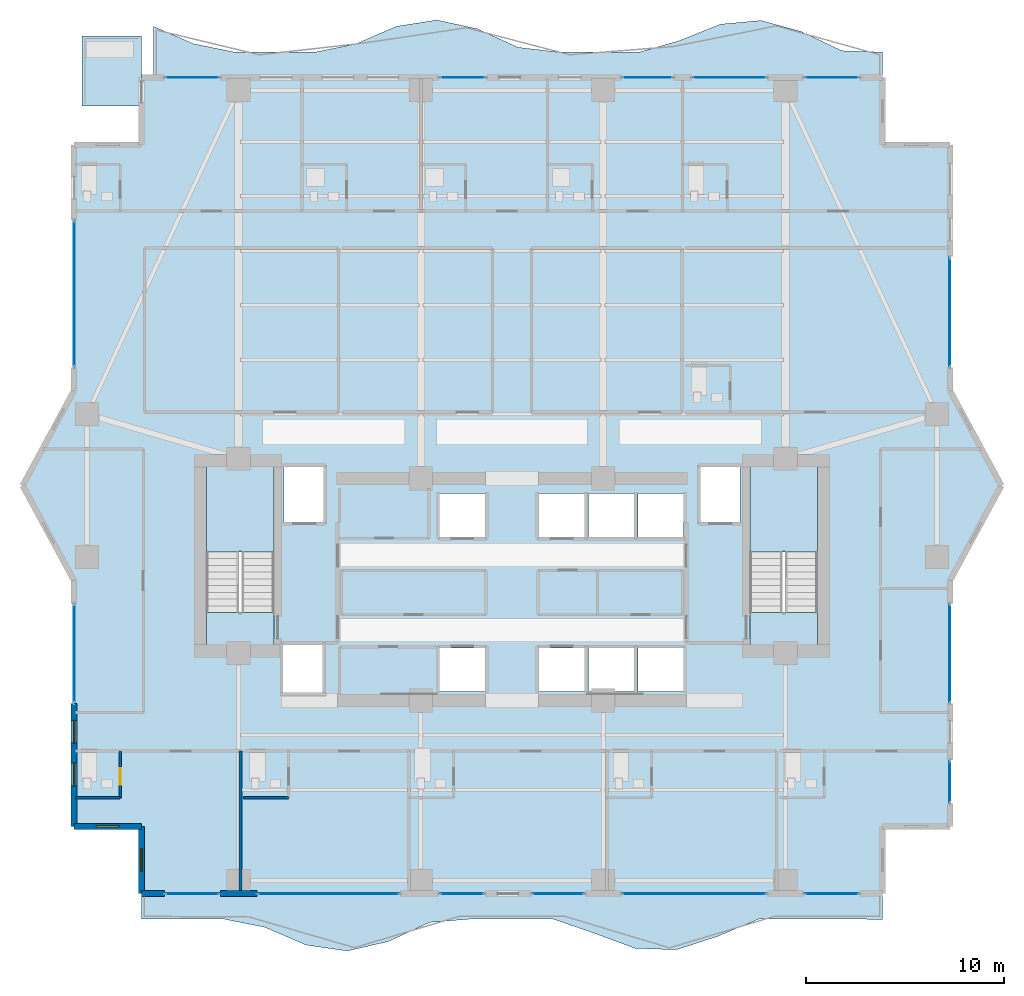
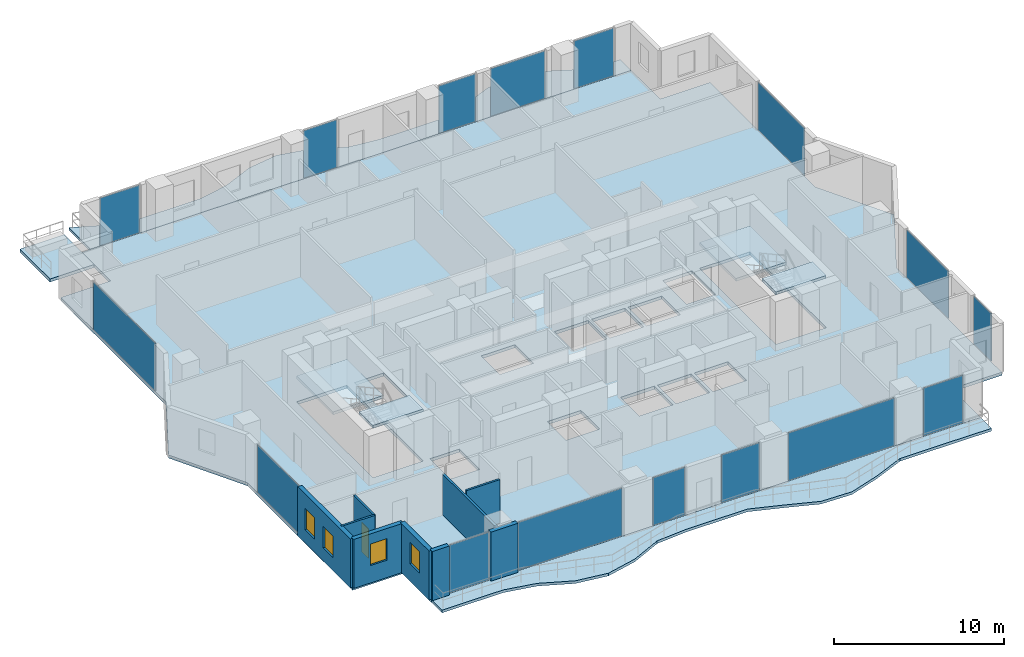
# One storey, part 23 of 32: 16 plates, 9 walls, 8 slabs, 4 windows, 1 door, 5 openings, 18 elements without a shape of their own.
"""IFC4 building model written with IfcOpenShell, lengths in metres."""

from ifc_helpers import new_model, si_unit, direction, frame, frame_2d, origin, origin_2d, place, context, subcontext, project, spatial, polyline, rectangle, outline, extrude, material, layer, layer_set, type_object, element, fill, aggregate, save


model = new_model("IFC4")

# Units and contexts
model_context = context("Model", 3, precision=1e-05, world=origin(), true_north=direction((0.0, 1.0)))
body_context = subcontext(model_context, "Body", "Model", "MODEL_VIEW")
ifc_project = project(units=[si_unit("LENGTHUNIT", "METRE"), si_unit("AREAUNIT", "SQUARE_METRE"), si_unit("VOLUMEUNIT", "CUBIC_METRE"), si_unit("PLANEANGLEUNIT", "RADIAN"), si_unit("MASSUNIT", "GRAM", prefix="KILO")], contexts=[model_context])

# Site, building, storey
site_placement = place(None, origin())
site = spatial("IfcSite", under=ifc_project, at=site_placement, CompositionType="ELEMENT")
building_placement = place(site_placement, origin())
building = spatial("IfcBuilding", under=site, at=building_placement, Name="Zuhayl Quay Hotel", CompositionType="ELEMENT")
storey_placement = place(building_placement, frame((0.0, 0.0, 184.89990234375)))
storey = spatial("IfcBuildingStorey", under=building, at=storey_placement, Name="L46", CompositionType="ELEMENT", Elevation=184.89990234375)

# Curtain wall, plate
ifc_material_1 = material(Name="Anodised Aluminium 6063-T6", Category="aluminium")
ifc_layer_1 = layer(ifc_material_1, 0.175048828125, Name="Anodised Aluminium 6063-T6", Category="aluminium")
ifc_layer_set_1 = layer_set([ifc_layer_1], Name="Anodised Aluminium 6063-T6")
curtain_wall_type = type_object("IfcCurtainWallType", Name="CW_SYS_Z3", PredefinedType="USERDEFINED", material=ifc_layer_set_1)
curtain_wall_1_placement = place(storey_placement, origin())
curtain_wall_1 = element("IfcCurtainWall", 1, at=curtain_wall_1_placement, inside=storey, type_object=curtain_wall_type, Name="L46 Curtain Wall ENV_L46_E02_CW1", ObjectType="UNITISED CURTAIN WALL", PredefinedType="USERDEFINED")
ifc_material_2 = material(Name="Dark Ceramic-Fritted Solar Glass", Category="glass")
ifc_layer_2 = layer(ifc_material_2, 0.0400390625, Name="Dark Ceramic-Fritted Solar Glass", Category="glass")
ifc_layer_set_2 = layer_set([ifc_layer_2], Name="Dark Ceramic-Fritted Solar Glass")
plate_type = type_object("IfcPlateType", Name="PN_OP_VENT_Z3", PredefinedType="CURTAIN_PANEL", material=ifc_layer_set_2)
plate_1_placement = place(storey_placement, frame((-22.10009765625, 4.52490234375, 0.05517578125), z_axis=(0.0, 0.0, 1.0), x_axis=(0.0, 1.0, 0.0)))
plate_1 = element("IfcPlate", 2, at=plate_1_placement, type_object=plate_type, Name="CW-Z3 panel 1.1", PredefinedType="CURTAIN_PANEL", context=body_context, shape_type="SweptSolid", body=[
    extrude(rectangle(XDim=4.919921875, YDim=0.0400390625, at=origin_2d()), origin(), (0.0, 0.0, 1.0), 3.419921875),
])
aggregate(curtain_wall_1, [plate_1])

curtain_wall_2_placement = place(storey_placement, origin())
curtain_wall_2 = element("IfcCurtainWall", 3, at=curtain_wall_2_placement, inside=storey, type_object=curtain_wall_type, Name="L46 Curtain Wall ENV_L46_E05_CW1", ObjectType="UNITISED CURTAIN WALL", PredefinedType="USERDEFINED")
plate_2_placement = place(storey_placement, frame((-22.10009765625, 22.675048828125, 0.05517578125), z_axis=(0.0, 0.0, 1.0), x_axis=(0.0, 1.0, 0.0)))
plate_2 = element("IfcPlate", 4, at=plate_2_placement, type_object=plate_type, Name="CW-Z3 panel 1.1", PredefinedType="CURTAIN_PANEL", context=body_context, shape_type="SweptSolid", body=[
    extrude(rectangle(XDim=7.320068359375, YDim=0.0400390625, at=origin_2d()), origin(), (0.0, 0.0, 1.0), 3.419921875),
])
aggregate(curtain_wall_2, [plate_2])

curtain_wall_3_placement = place(storey_placement, origin())
curtain_wall_3 = element("IfcCurtainWall", 5, at=curtain_wall_3_placement, inside=storey, type_object=curtain_wall_type, Name="L46 Curtain Wall ENV_L46_N_CW1", ObjectType="UNITISED CURTAIN WALL", PredefinedType="USERDEFINED")
plate_3_placement = place(storey_placement, frame((-16.135009765625, 33.60009765625, 0.05517578125), z_axis=(0.0, 0.0, 1.0), x_axis=(1.0, 0.0, 0.0)))
plate_3 = element("IfcPlate", 6, at=plate_3_placement, type_object=plate_type, Name="CW-Z3 panel 1.1", PredefinedType="CURTAIN_PANEL", context=body_context, shape_type="SweptSolid", body=[
    extrude(rectangle(XDim=2.699951171875, YDim=0.0400390625, at=origin_2d()), origin(), (0.0, 0.0, 1.0), 3.419921875),
])
aggregate(curtain_wall_3, [plate_3])

curtain_wall_4_placement = place(storey_placement, origin())
curtain_wall_4 = element("IfcCurtainWall", 7, at=curtain_wall_4_placement, inside=storey, type_object=curtain_wall_type, Name="L46 Curtain Wall ENV_L46_N_CW2", ObjectType="UNITISED CURTAIN WALL", PredefinedType="USERDEFINED")
plate_4_placement = place(storey_placement, frame((-2.487548828125, 33.60009765625, 0.05517578125), z_axis=(0.0, 0.0, 1.0), x_axis=(1.0, 0.0, 0.0)))
plate_4 = element("IfcPlate", 8, at=plate_4_placement, type_object=plate_type, Name="CW-Z3 panel 1.1", PredefinedType="CURTAIN_PANEL", context=body_context, shape_type="SweptSolid", body=[
    extrude(rectangle(XDim=2.2548828125, YDim=0.0400390625, at=origin_2d()), origin(), (0.0, 0.0, 1.0), 3.419921875),
])
aggregate(curtain_wall_4, [plate_4])

curtain_wall_5_placement = place(storey_placement, origin())
curtain_wall_5 = element("IfcCurtainWall", 9, at=curtain_wall_5_placement, inside=storey, type_object=curtain_wall_type, Name="L46 Curtain Wall ENV_L46_N_CW3", ObjectType="UNITISED CURTAIN WALL", PredefinedType="USERDEFINED")
plate_5_placement = place(storey_placement, frame((6.8349609375, 33.60009765625, 0.05517578125), z_axis=(0.0, 0.0, 1.0), x_axis=(1.0, 0.0, 0.0)))
plate_5 = element("IfcPlate", 10, at=plate_5_placement, type_object=plate_type, Name="CW-Z3 panel 1.1", PredefinedType="CURTAIN_PANEL", context=body_context, shape_type="SweptSolid", body=[
    extrude(rectangle(XDim=2.5, YDim=0.0400390625, at=origin_2d()), origin(), (0.0, 0.0, 1.0), 3.419921875),
])
aggregate(curtain_wall_5, [plate_5])

curtain_wall_6_placement = place(storey_placement, origin())
curtain_wall_6 = element("IfcCurtainWall", 11, at=curtain_wall_6_placement, inside=storey, type_object=curtain_wall_type, Name="L46 Curtain Wall ENV_L46_N_CW4", ObjectType="UNITISED CURTAIN WALL", PredefinedType="USERDEFINED")
plate_6_placement = place(storey_placement, frame((10.965087890625, 33.60009765625, 0.05517578125), z_axis=(0.0, 0.0, 1.0), x_axis=(1.0, 0.0, 0.0)))
plate_6 = element("IfcPlate", 12, at=plate_6_placement, type_object=plate_type, Name="CW-Z3 panel 1.1", PredefinedType="CURTAIN_PANEL", context=body_context, shape_type="SweptSolid", body=[
    extrude(rectangle(XDim=3.699951171875, YDim=0.0400390625, at=origin_2d()), origin(), (0.0, 0.0, 1.0), 3.419921875),
])
aggregate(curtain_wall_6, [plate_6])

curtain_wall_7_placement = place(storey_placement, origin())
curtain_wall_7 = element("IfcCurtainWall", 13, at=curtain_wall_7_placement, inside=storey, type_object=curtain_wall_type, Name="L46 Curtain Wall ENV_L46_N_CW5", ObjectType="UNITISED CURTAIN WALL", PredefinedType="USERDEFINED")
plate_7_placement = place(storey_placement, frame((16.135009765625, 33.60009765625, 0.05517578125), z_axis=(0.0, 0.0, 1.0), x_axis=(1.0, 0.0, 0.0)))
plate_7 = element("IfcPlate", 14, at=plate_7_placement, type_object=plate_type, Name="CW-Z3 panel 1.1", PredefinedType="CURTAIN_PANEL", context=body_context, shape_type="SweptSolid", body=[
    extrude(rectangle(XDim=2.699951171875, YDim=0.0400390625, at=origin_2d()), origin(), (0.0, 0.0, 1.0), 3.419921875),
])
aggregate(curtain_wall_7, [plate_7])

curtain_wall_8_placement = place(storey_placement, origin())
curtain_wall_8 = element("IfcCurtainWall", 15, at=curtain_wall_8_placement, inside=storey, type_object=curtain_wall_type, Name="L46 Curtain Wall ENV_L46_E11_CW1", ObjectType="UNITISED CURTAIN WALL", PredefinedType="USERDEFINED")
plate_8_placement = place(storey_placement, frame((22.10009765625, 21.75, 0.05517578125), z_axis=(0.0, 0.0, 1.0), x_axis=(0.0, -1.0, 0.0)))
plate_8 = element("IfcPlate", 16, at=plate_8_placement, type_object=plate_type, Name="CW-Z3 panel 1.1", PredefinedType="CURTAIN_PANEL", context=body_context, shape_type="SweptSolid", body=[
    extrude(rectangle(XDim=5.469970703125, YDim=0.0400390625, at=origin_2d()), origin(), (0.0, 0.0, 1.0), 3.419921875),
])
aggregate(curtain_wall_8, [plate_8])

curtain_wall_9_placement = place(storey_placement, origin())
curtain_wall_9 = element("IfcCurtainWall", 17, at=curtain_wall_9_placement, inside=storey, type_object=curtain_wall_type, Name="L46 Curtain Wall ENV_L46_E14_CW1", ObjectType="UNITISED CURTAIN WALL", PredefinedType="USERDEFINED")
plate_9_placement = place(storey_placement, frame((22.10009765625, 4.52490234375, 0.05517578125), z_axis=(0.0, 0.0, 1.0), x_axis=(0.0, -1.0, 0.0)))
plate_9 = element("IfcPlate", 18, at=plate_9_placement, type_object=plate_type, Name="CW-Z3 panel 1.1", PredefinedType="CURTAIN_PANEL", context=body_context, shape_type="SweptSolid", body=[
    extrude(rectangle(XDim=4.919921875, YDim=0.0400390625, at=origin_2d()), origin(), (0.0, 0.0, 1.0), 3.419921875),
])
aggregate(curtain_wall_9, [plate_9])

curtain_wall_10_placement = place(storey_placement, origin())
curtain_wall_10 = element("IfcCurtainWall", 19, at=curtain_wall_10_placement, inside=storey, type_object=curtain_wall_type, Name="L46 Curtain Wall ENV_L46_E14_CW2", ObjectType="UNITISED CURTAIN WALL", PredefinedType="USERDEFINED")
plate_10_placement = place(storey_placement, frame((22.10009765625, -1.949951171875, 0.05517578125), z_axis=(0.0, 0.0, 1.0), x_axis=(0.0, -1.0, 0.0)))
plate_10 = element("IfcPlate", 20, at=plate_10_placement, type_object=plate_type, Name="CW-Z3 panel 1.1", PredefinedType="CURTAIN_PANEL", context=body_context, shape_type="SweptSolid", body=[
    extrude(rectangle(XDim=2.070068359375, YDim=0.0400390625, at=origin_2d()), origin(), (0.0, 0.0, 1.0), 3.419921875),
])
aggregate(curtain_wall_10, [plate_10])

curtain_wall_11_placement = place(storey_placement, origin())
curtain_wall_11 = element("IfcCurtainWall", 21, at=curtain_wall_11_placement, inside=storey, type_object=curtain_wall_type, Name="L46 Curtain Wall ENV_L46_S_CW1", ObjectType="UNITISED CURTAIN WALL", PredefinedType="USERDEFINED")
plate_11_placement = place(storey_placement, frame((16.135009765625, -7.60009765625, 0.05517578125), z_axis=(0.0, 0.0, 1.0), x_axis=(-1.0, 0.0, 0.0)))
plate_11 = element("IfcPlate", 22, at=plate_11_placement, type_object=plate_type, Name="CW-Z3 panel 1.1", PredefinedType="CURTAIN_PANEL", context=body_context, shape_type="SweptSolid", body=[
    extrude(rectangle(XDim=2.699951171875, YDim=0.0400390625, at=origin_2d()), origin(), (0.0, 0.0, 1.0), 3.419921875),
])
aggregate(curtain_wall_11, [plate_11])

curtain_wall_12_placement = place(storey_placement, origin())
curtain_wall_12 = element("IfcCurtainWall", 23, at=curtain_wall_12_placement, inside=storey, type_object=curtain_wall_type, Name="L46 Curtain Wall ENV_L46_S_CW2", ObjectType="UNITISED CURTAIN WALL", PredefinedType="USERDEFINED")
plate_12_placement = place(storey_placement, frame((9.199951171875, -7.60009765625, 0.05517578125), z_axis=(0.0, 0.0, 1.0), x_axis=(-1.0, 0.0, 0.0)))
plate_12 = element("IfcPlate", 24, at=plate_12_placement, type_object=plate_type, Name="CW-Z3 panel 1.1", PredefinedType="CURTAIN_PANEL", context=body_context, shape_type="SweptSolid", body=[
    extrude(rectangle(XDim=7.22998046875, YDim=0.0400390625, at=origin_2d()), origin(), (0.0, 0.0, 1.0), 3.419921875),
])
aggregate(curtain_wall_12, [plate_12])

curtain_wall_13_placement = place(storey_placement, origin())
curtain_wall_13 = element("IfcCurtainWall", 25, at=curtain_wall_13_placement, inside=storey, type_object=curtain_wall_type, Name="L46 Curtain Wall ENV_L46_S_CW3", ObjectType="UNITISED CURTAIN WALL", PredefinedType="USERDEFINED")
plate_13_placement = place(storey_placement, frame((2.327392578125, -7.60009765625, 0.05517578125), z_axis=(0.0, 0.0, 1.0), x_axis=(-1.0, 0.0, 0.0)))
plate_13 = element("IfcPlate", 26, at=plate_13_placement, type_object=plate_type, Name="CW-Z3 panel 1.1", PredefinedType="CURTAIN_PANEL", context=body_context, shape_type="SweptSolid", body=[
    extrude(rectangle(XDim=2.574951171875, YDim=0.0400390625, at=origin_2d()), origin(), (0.0, 0.0, 1.0), 3.419921875),
])
aggregate(curtain_wall_13, [plate_13])

curtain_wall_14_placement = place(storey_placement, origin())
curtain_wall_14 = element("IfcCurtainWall", 27, at=curtain_wall_14_placement, inside=storey, type_object=curtain_wall_type, Name="L46 Curtain Wall ENV_L46_S_CW4", ObjectType="UNITISED CURTAIN WALL", PredefinedType="USERDEFINED")
plate_14_placement = place(storey_placement, frame((-2.527587890625, -7.60009765625, 0.05517578125), z_axis=(0.0, 0.0, 1.0), x_axis=(-1.0, 0.0, 0.0)))
plate_14 = element("IfcPlate", 28, at=plate_14_placement, type_object=plate_type, Name="CW-Z3 panel 1.1", PredefinedType="CURTAIN_PANEL", context=body_context, shape_type="SweptSolid", body=[
    extrude(rectangle(XDim=2.175048828125, YDim=0.0400390625, at=origin_2d()), origin(), (0.0, 0.0, 1.0), 3.419921875),
])
aggregate(curtain_wall_14, [plate_14])

curtain_wall_15_placement = place(storey_placement, origin())
curtain_wall_15 = element("IfcCurtainWall", 29, at=curtain_wall_15_placement, inside=storey, type_object=curtain_wall_type, Name="L46 Curtain Wall ENV_L46_S_CW5", ObjectType="UNITISED CURTAIN WALL", PredefinedType="USERDEFINED")
plate_15_placement = place(storey_placement, frame((-9.264892578125, -7.60009765625, 0.05517578125), z_axis=(0.0, 0.0, 1.0), x_axis=(-1.0, 0.0, 0.0)))
plate_15 = element("IfcPlate", 30, at=plate_15_placement, type_object=plate_type, Name="CW-Z3 panel 1.1", PredefinedType="CURTAIN_PANEL", context=body_context, shape_type="SweptSolid", body=[
    extrude(rectangle(XDim=7.10009765625, YDim=0.0400390625, at=origin_2d()), origin(), (0.0, 0.0, 1.0), 3.419921875),
])
aggregate(curtain_wall_15, [plate_15])

curtain_wall_16_placement = place(storey_placement, origin())
curtain_wall_16 = element("IfcCurtainWall", 31, at=curtain_wall_16_placement, inside=storey, type_object=curtain_wall_type, Name="L46 Curtain Wall ENV_L46_S_CW6", ObjectType="UNITISED CURTAIN WALL", PredefinedType="USERDEFINED")
plate_16_placement = place(storey_placement, frame((-16.135009765625, -7.60009765625, 0.05517578125), z_axis=(0.0, 0.0, 1.0), x_axis=(-1.0, 0.0, 0.0)))
plate_16 = element("IfcPlate", 32, at=plate_16_placement, type_object=plate_type, Name="CW-Z3 panel 1.1", PredefinedType="CURTAIN_PANEL", context=body_context, shape_type="SweptSolid", body=[
    extrude(rectangle(XDim=2.699951171875, YDim=0.0400390625, at=origin_2d()), origin(), (0.0, 0.0, 1.0), 3.419921875),
])
aggregate(curtain_wall_16, [plate_16])

# Slabs
ifc_material_3 = material(Name="Concrete C45/55", Category="concrete")
ifc_layer_3 = layer(ifc_material_3, 0.195068359375, Name="Concrete C45/55", Category="concrete")
ifc_layer_set_3 = layer_set([ifc_layer_3], Name="Concrete C45/55")
slab_type_1 = type_object("IfcSlabType", Name="SL_BALCONY_195", PredefinedType="FLOOR", material=ifc_layer_set_3)
slab_1_placement = place(storey_placement, frame((0.0, 0.0, -0.19482421875)))
element("IfcSlab", 33, at=slab_1_placement, inside=storey, type_object=slab_type_1, Name="L46 Exterior Rippling Balcony Slab North", PredefinedType="FLOOR", context=body_context, shape_type="SweptSolid", body=[
    extrude(outline(polyline([(-18.10009765625, 33.60009765625), (18.699951171875, 33.60009765625), (18.699951171875, 34.8798828125), (16.655517578125, 34.947509765625), (14.611083984375, 35.912353515625), (12.566650390625, 36.47265625), (10.522216796875, 36.286376953125), (8.477783203125, 35.467041015625), (6.433349609375, 34.8798828125), (4.388916015625, 34.8798828125), (2.344482421875, 34.8798828125), (0.300048828125, 35.119384765625), (-1.744384765625, 36.053466796875), (-3.788818359375, 36.4970703125), (-5.833251953125, 36.178955078125), (-7.877685546875, 35.293701171875), (-9.922119140625, 34.8798828125), (-11.966796875, 34.8798828125), (-14.010986328125, 34.8798828125), (-16.0556640625, 35.293701171875), (-18.10009765625, 36.178955078125), (-18.10009765625, 33.60009765625)])), origin(), (0.0, 0.0, 1.0), 0.19482421875),
])
slab_2_placement = place(storey_placement, frame((0.0, 0.0, -0.19482421875)))
element("IfcSlab", 34, at=slab_2_placement, inside=storey, type_object=slab_type_1, Name="L46 Exterior Rippling Balcony Slab South", PredefinedType="FLOOR", context=body_context, shape_type="SweptSolid", body=[
    extrude(outline(polyline([(-18.699951171875, -8.8798828125), (-16.622314453125, -8.8798828125), (-14.54443359375, -8.8798828125), (-12.466796875, -9.299072265625), (-10.388916015625, -10.193359375), (-8.31103515625, -10.49365234375), (-6.2333984375, -10.010986328125), (-4.155517578125, -9.049072265625), (-2.077880859375, -8.8798828125), (0.0, -8.8798828125), (2.077880859375, -8.8798828125), (4.155517578125, -9.599853515625), (6.2333984375, -10.36376953125), (8.31103515625, -10.426513671875), (10.388916015625, -9.748291015625), (12.466796875, -8.8798828125), (14.54443359375, -8.8798828125), (16.622314453125, -8.8798828125), (18.699951171875, -8.89501953125), (18.699951171875, -7.60009765625), (-18.699951171875, -7.60009765625), (-18.699951171875, -8.8798828125)])), origin(), (0.0, 0.0, 1.0), 0.19482421875),
])
ifc_layer_4 = layer(ifc_material_3, 0.219970703125, Name="Concrete C45/55", Category="concrete")
ifc_layer_set_4 = layer_set([ifc_layer_4], Name="Concrete C45/55")
slab_type_2 = type_object("IfcSlabType", Name="SL_FLOOR_220", PredefinedType="FLOOR", material=ifc_layer_set_4)
slab_3_placement = place(storey_placement, frame((0.0, 0.0, -0.219970703125)))
element("IfcSlab", 35, at=slab_3_placement, inside=storey, type_object=slab_type_2, Name="L46 Structural Floor Slab", PredefinedType="FLOOR", context=body_context, shape_type="SweptSolid", body=[
    extrude(outline(polyline([(-18.699951171875, -7.60009765625), (18.699951171875, -7.60009765625), (18.699951171875, -4.199951171875), (22.10009765625, -4.199951171875), (22.10009765625, 8.199951171875), (24.699951171875, 13.0), (22.10009765625, 17.800048828125), (22.10009765625, 30.199951171875), (18.699951171875, 30.199951171875), (18.699951171875, 33.60009765625), (-18.699951171875, 33.60009765625), (-18.699951171875, 30.199951171875), (-22.10009765625, 30.199951171875), (-22.10009765625, 17.800048828125), (-24.699951171875, 13.0), (-22.10009765625, 8.199951171875), (-22.10009765625, -4.199951171875), (-18.699951171875, -4.199951171875), (-18.699951171875, -7.60009765625)]), holes=[polyline([(-12.0, 4.949951171875), (-12.0, 13.949951171875), (-15.429931640625, 13.949951171875), (-15.429931640625, 4.949951171875), (-12.0, 4.949951171875)]), polyline([(15.429931640625, 4.949951171875), (15.429931640625, 13.949951171875), (12.0, 13.949951171875), (12.0, 4.949951171875), (15.429931640625, 4.949951171875)]), polyline([(-11.5, 11.14990234375), (-9.5, 11.14990234375), (-9.5, 13.949951171875), (-11.5, 13.949951171875), (-11.5, 11.14990234375)]), polyline([(9.5, 11.14990234375), (11.5, 11.14990234375), (11.5, 13.949951171875), (9.5, 13.949951171875), (9.5, 11.14990234375)]), polyline([(-3.64990234375, 2.60009765625), (-1.35009765625, 2.60009765625), (-1.35009765625, 4.800048828125), (-3.64990234375, 4.800048828125), (-3.64990234375, 2.60009765625)]), polyline([(1.35009765625, 2.60009765625), (3.64990234375, 2.60009765625), (3.64990234375, 4.800048828125), (1.35009765625, 4.800048828125), (1.35009765625, 2.60009765625)]), polyline([(-3.64990234375, 10.39990234375), (-1.35009765625, 10.39990234375), (-1.35009765625, 12.60009765625), (-3.64990234375, 12.60009765625), (-3.64990234375, 10.39990234375)]), polyline([(1.35009765625, 10.39990234375), (3.64990234375, 10.39990234375), (3.64990234375, 12.60009765625), (1.35009765625, 12.60009765625), (1.35009765625, 10.39990234375)]), polyline([(3.85009765625, 2.60009765625), (6.14990234375, 2.60009765625), (6.14990234375, 4.800048828125), (3.85009765625, 4.800048828125), (3.85009765625, 2.60009765625)]), polyline([(6.35009765625, 2.60009765625), (8.64990234375, 2.60009765625), (8.64990234375, 4.800048828125), (6.35009765625, 4.800048828125), (6.35009765625, 2.60009765625)]), polyline([(3.85009765625, 10.39990234375), (6.14990234375, 10.39990234375), (6.14990234375, 12.60009765625), (3.85009765625, 12.60009765625), (3.85009765625, 10.39990234375)]), polyline([(6.35009765625, 10.39990234375), (8.64990234375, 10.39990234375), (8.64990234375, 12.60009765625), (6.35009765625, 12.60009765625), (6.35009765625, 10.39990234375)]), polyline([(-11.550048828125, 2.550048828125), (-9.550048828125, 2.550048828125), (-9.550048828125, 4.949951171875), (-11.550048828125, 4.949951171875), (-11.550048828125, 2.550048828125)])]), origin(), (0.0, 0.0, 1.0), 0.219970703125),
])

# Stair, slabs
stair_type = type_object("IfcStairType", Name="ST_DOGLEG_TOWER", PredefinedType="HALF_TURN_STAIR", material=ifc_material_3)
stair_1_placement = place(storey_placement, origin())
stair_1 = element("IfcStair", 36, at=stair_1_placement, inside=storey, type_object=stair_type, Name="L46 Smokeproof Exit Stair ST1", PredefinedType="HALF_TURN_STAIR")
ifc_layer_5 = layer(ifc_material_3, 0.199951171875, Name="Concrete C45/55", Category="concrete")
ifc_layer_set_5 = layer_set([ifc_layer_5], Name="Concrete C45/55")
slab_type_3 = type_object("IfcSlabType", Name="SL_STAIR_LANDING_200", PredefinedType="LANDING", material=ifc_layer_set_5)
slab_4_placement = place(storey_placement, frame((0.0, 0.0, 1.675048828125)))
slab_4 = element("IfcSlab", 37, at=slab_4_placement, type_object=slab_type_3, Name="ST1 landing 1", PredefinedType="LANDING", context=body_context, shape_type="SweptSolid", body=[
    extrude(outline(polyline([(-12.0, 9.64990234375), (-12.0, 13.949951171875), (-15.429931640625, 13.949951171875), (-15.429931640625, 9.64990234375), (-12.0, 9.64990234375)])), origin(), (0.0, 0.0, 1.0), 0.199951171875),
])
slab_5_placement = place(storey_placement, frame((0.0, 0.0, 3.550048828125)))
slab_5 = element("IfcSlab", 38, at=slab_5_placement, type_object=slab_type_3, Name="ST1 landing 2", PredefinedType="LANDING", context=body_context, shape_type="SweptSolid", body=[
    extrude(outline(polyline([(-12.0, 4.949951171875), (-12.0, 6.590087890625), (-15.429931640625, 6.590087890625), (-15.429931640625, 4.949951171875), (-12.0, 4.949951171875)])), origin(), (0.0, 0.0, 1.0), 0.199951171875),
])
aggregate(stair_1, [slab_4, slab_5])

stair_2_placement = place(storey_placement, origin())
stair_2 = element("IfcStair", 39, at=stair_2_placement, inside=storey, type_object=stair_type, Name="L46 Smokeproof Exit Stair ST2", PredefinedType="HALF_TURN_STAIR")
slab_6_placement = place(storey_placement, frame((0.0, 0.0, 1.675048828125)))
slab_6 = element("IfcSlab", 40, at=slab_6_placement, type_object=slab_type_3, Name="ST2 landing 1", PredefinedType="LANDING", context=body_context, shape_type="SweptSolid", body=[
    extrude(outline(polyline([(15.429931640625, 9.64990234375), (15.429931640625, 13.949951171875), (12.0, 13.949951171875), (12.0, 9.64990234375), (15.429931640625, 9.64990234375)])), origin(), (0.0, 0.0, 1.0), 0.199951171875),
])
slab_7_placement = place(storey_placement, frame((0.0, 0.0, 3.550048828125)))
slab_7 = element("IfcSlab", 41, at=slab_7_placement, type_object=slab_type_3, Name="ST2 landing 2", PredefinedType="LANDING", context=body_context, shape_type="SweptSolid", body=[
    extrude(outline(polyline([(15.429931640625, 4.949951171875), (15.429931640625, 6.590087890625), (12.0, 6.590087890625), (12.0, 4.949951171875), (15.429931640625, 4.949951171875)])), origin(), (0.0, 0.0, 1.0), 0.199951171875),
])
aggregate(stair_2, [slab_6, slab_7])

# Slab
ifc_layer_6 = layer(ifc_material_3, 0.219970703125, Name="Concrete C45/55", Category="concrete")
ifc_layer_set_6 = layer_set([ifc_layer_6], Name="Concrete C45/55")
slab_type_4 = type_object("IfcSlabType", Name="SL_TERRACE_235", PredefinedType="FLOOR", material=ifc_layer_set_6)
slab_8_placement = place(storey_placement, frame((0.0, 0.0, -0.219970703125)))
element("IfcSlab", 42, at=slab_8_placement, inside=storey, type_object=slab_type_4, Name="L46 Exterior Sky-Terrace Slab L46_SPIRAL_NW", PredefinedType="FLOOR", context=body_context, shape_type="SweptSolid", body=[
    extrude(outline(polyline([(-21.699951171875, 32.14990234375), (-18.699951171875, 32.14990234375), (-18.699951171875, 35.699951171875), (-21.699951171875, 35.699951171875), (-21.699951171875, 32.14990234375)])), origin(), (0.0, 0.0, 1.0), 0.219970703125),
])

# Wall, opening, window
ifc_material_4 = material(Name="Precast concrete C45/55", Category="concrete")
ifc_layer_7 = layer(ifc_material_4, 0.300048828125, Name="Precast concrete C45/55", Category="concrete")
ifc_layer_set_7 = layer_set([ifc_layer_7], Name="Precast concrete C45/55")
wall_type_1 = type_object("IfcWallType", Name="WL_EXT_300", PredefinedType="STANDARD", material=ifc_layer_set_7)
wall_1_placement = place(storey_placement, frame((-18.699951171875, -4.199951171875, 0.0), z_axis=(0.0, 0.0, 1.0), x_axis=(-1.0, 0.0, 0.0)))
wall_1 = element("IfcWall", 43, at=wall_1_placement, inside=storey, type_object=wall_type_1, Name="L46 Exterior Precast Wall ENV_L46_EW01", PredefinedType="STANDARD", context=body_context, shape_type="SweptSolid", body=[
    extrude(rectangle(XDim=3.400146484375, YDim=0.300048828125, at=frame_2d((1.7001953125, 0.0))), origin(), (0.0, 0.0, 1.0), 3.530029296875),
])
opening_1_placement = place(wall_1_placement, frame((1.125, 0.0, 1.25)))
opening_1 = element("IfcOpeningElement", 44, at=opening_1_placement, cuts=wall_1, Name="Opening W01N", PredefinedType="OPENING", context=body_context, shape_type="SweptSolid", body=[
    extrude(rectangle(XDim=1.14990234375, YDim=1.550048828125, at=frame_2d((0.574951171875, 0.77490234375))), frame((0.0, 0.159912109375, 0.0), z_axis=(0.0, -1.0, 0.0), x_axis=(1.0, 0.0, 0.0)), (0.0, 0.0, 1.0), 0.320068359375),
])
window_type = type_object("IfcWindowType", Name="WN_NOTCH_1350", PartitioningType="SINGLE_PANEL", PredefinedType="WINDOW", material=ifc_material_2)
window_1_placement = place(opening_1_placement, origin())
window_1 = element("IfcWindow", 45, at=window_1_placement, inside=storey, type_object=window_type, Name="L46 Corner Notch Window 1", OverallHeight=1.550048828125, OverallWidth=1.14990234375, PartitioningType="SINGLE_PANEL", PredefinedType="WINDOW", context=body_context, shape_type="SweptSolid", body=[
    extrude(rectangle(XDim=1.14990234375, YDim=1.550048828125, at=frame_2d((0.574951171875, 0.77490234375))), frame((0.0, 0.030029296875, 0.0), z_axis=(0.0, -1.0, 0.0), x_axis=(1.0, 0.0, 0.0)), (0.0, 0.0, 1.0), 0.06005859375),
])
fill(opening_1, window_1)

# Wall, openings, windows
wall_2_placement = place(storey_placement, frame((-22.10009765625, -4.199951171875, 0.0), z_axis=(0.0, 0.0, 1.0), x_axis=(0.0, 1.0, 0.0)))
wall_2 = element("IfcWall", 46, at=wall_2_placement, inside=storey, type_object=wall_type_1, Name="L46 Exterior Precast Wall ENV_L46_E02_EW1", PredefinedType="STANDARD", context=body_context, shape_type="SweptSolid", body=[
    extrude(rectangle(XDim=6.199951171875, YDim=0.300048828125, at=frame_2d((3.10009765625, 0.0))), origin(), (0.0, 0.0, 1.0), 3.530029296875),
])
opening_2_placement = place(wall_2_placement, frame((2.044921875, 0.0, 0.949951171875)))
opening_2 = element("IfcOpeningElement", 47, at=opening_2_placement, cuts=wall_2, Name="Opening W01N", PredefinedType="OPENING", context=body_context, shape_type="SweptSolid", body=[
    extrude(rectangle(XDim=1.14990234375, YDim=1.550048828125, at=frame_2d((0.574951171875, 0.77490234375))), frame((0.0, 0.159912109375, 0.0), z_axis=(0.0, -1.0, 0.0), x_axis=(1.0, 0.0, 0.0)), (0.0, 0.0, 1.0), 0.320068359375),
])
opening_3_placement = place(wall_2_placement, frame((4.199951171875, 0.0, 0.949951171875)))
opening_3 = element("IfcOpeningElement", 48, at=opening_3_placement, cuts=wall_2, Name="Opening W01N", PredefinedType="OPENING", context=body_context, shape_type="SweptSolid", body=[
    extrude(rectangle(XDim=1.14990234375, YDim=1.550048828125, at=frame_2d((0.574951171875, 0.77490234375))), frame((0.0, 0.159912109375, 0.0), z_axis=(0.0, -1.0, 0.0), x_axis=(1.0, 0.0, 0.0)), (0.0, 0.0, 1.0), 0.320068359375),
])
window_2_placement = place(opening_2_placement, origin())
window_2 = element("IfcWindow", 49, at=window_2_placement, inside=storey, type_object=window_type, Name="L46 Operable Facade Window 1-1", OverallHeight=1.550048828125, OverallWidth=1.14990234375, PartitioningType="SINGLE_PANEL", PredefinedType="WINDOW", context=body_context, shape_type="SweptSolid", body=[
    extrude(rectangle(XDim=1.14990234375, YDim=1.550048828125, at=frame_2d((0.574951171875, 0.77490234375))), frame((0.0, 0.030029296875, 0.0), z_axis=(0.0, -1.0, 0.0), x_axis=(1.0, 0.0, 0.0)), (0.0, 0.0, 1.0), 0.06005859375),
])
fill(opening_2, window_2)
window_3_placement = place(opening_3_placement, origin())
window_3 = element("IfcWindow", 50, at=window_3_placement, inside=storey, type_object=window_type, Name="L46 Operable Facade Window 1-2", OverallHeight=1.550048828125, OverallWidth=1.14990234375, PartitioningType="SINGLE_PANEL", PredefinedType="WINDOW", context=body_context, shape_type="SweptSolid", body=[
    extrude(rectangle(XDim=1.14990234375, YDim=1.550048828125, at=frame_2d((0.574951171875, 0.77490234375))), frame((0.0, 0.030029296875, 0.0), z_axis=(0.0, -1.0, 0.0), x_axis=(1.0, 0.0, 0.0)), (0.0, 0.0, 1.0), 0.06005859375),
])
fill(opening_3, window_3)

# Walls
wall_3_placement = place(storey_placement, frame((-12.8798828125, -7.60009765625, 0.0), z_axis=(0.0, 0.0, 1.0), x_axis=(-1.0, 0.0, 0.0)))
element("IfcWall", 51, at=wall_3_placement, inside=storey, type_object=wall_type_1, Name="L46 Exterior Precast Wall ENV_L46_S_EW6", PredefinedType="STANDARD", context=body_context, shape_type="SweptSolid", body=[
    extrude(rectangle(XDim=1.840087890625, YDim=0.300048828125, at=frame_2d((0.919921875, 0.0))), origin(), (0.0, 0.0, 1.0), 3.530029296875),
])
wall_4_placement = place(storey_placement, frame((-17.550048828125, -7.60009765625, 0.0), z_axis=(0.0, 0.0, 1.0), x_axis=(-1.0, 0.0, 0.0)))
element("IfcWall", 52, at=wall_4_placement, inside=storey, type_object=wall_type_1, Name="L46 Exterior Precast Wall ENV_L46_S_EW7", PredefinedType="STANDARD", context=body_context, shape_type="SweptSolid", body=[
    extrude(rectangle(XDim=1.14990234375, YDim=0.300048828125, at=frame_2d((0.574951171875, 0.0))), origin(), (0.0, 0.0, 1.0), 3.530029296875),
])

# Wall, opening, window
wall_5_placement = place(storey_placement, frame((-18.699951171875, -7.60009765625, 0.0), z_axis=(0.0, 0.0, 1.0), x_axis=(0.0, 1.0, 0.0)))
wall_5 = element("IfcWall", 53, at=wall_5_placement, inside=storey, type_object=wall_type_1, Name="L46 Exterior Precast Wall ENV_L46_EW18", PredefinedType="STANDARD", context=body_context, shape_type="SweptSolid", body=[
    extrude(rectangle(XDim=3.400146484375, YDim=0.300048828125, at=frame_2d((1.7001953125, 0.0))), origin(), (0.0, 0.0, 1.0), 3.530029296875),
])
opening_4_placement = place(wall_5_placement, frame((1.125, 0.0, 1.25)))
opening_4 = element("IfcOpeningElement", 54, at=opening_4_placement, cuts=wall_5, Name="Opening W01N", PredefinedType="OPENING", context=body_context, shape_type="SweptSolid", body=[
    extrude(rectangle(XDim=1.14990234375, YDim=1.550048828125, at=frame_2d((0.574951171875, 0.77490234375))), frame((0.0, 0.159912109375, 0.0), z_axis=(0.0, -1.0, 0.0), x_axis=(1.0, 0.0, 0.0)), (0.0, 0.0, 1.0), 0.320068359375),
])
window_4_placement = place(opening_4_placement, origin())
window_4 = element("IfcWindow", 55, at=window_4_placement, inside=storey, type_object=window_type, Name="L46 Corner Notch Window 18", OverallHeight=1.550048828125, OverallWidth=1.14990234375, PartitioningType="SINGLE_PANEL", PredefinedType="WINDOW", context=body_context, shape_type="SweptSolid", body=[
    extrude(rectangle(XDim=1.14990234375, YDim=1.550048828125, at=frame_2d((0.574951171875, 0.77490234375))), frame((0.0, 0.030029296875, 0.0), z_axis=(0.0, -1.0, 0.0), x_axis=(1.0, 0.0, 0.0)), (0.0, 0.0, 1.0), 0.06005859375),
])
fill(opening_4, window_4)

# Wall
ifc_material_5 = material(Name="Acoustic Gypsum Partition STC-58")
ifc_layer_8 = layer(ifc_material_5, 0.14990234375, Name="Acoustic Gypsum Partition STC-58")
ifc_layer_set_8 = layer_set([ifc_layer_8], Name="Acoustic Gypsum Partition STC-58")
wall_type_2 = type_object("IfcWallType", Name="WL_PART_150", PredefinedType="PARTITIONING", material=ifc_layer_set_8)
wall_6_placement = place(storey_placement, frame((-13.699951171875, -7.52001953125, 0.0), z_axis=(0.0, 0.0, 1.0), x_axis=(0.0, 1.0, 0.0)))
element("IfcWall", 56, at=wall_6_placement, inside=storey, type_object=wall_type_2, Name="L46 Partition IW_L46_SU01A_E", PredefinedType="PARTITIONING", context=body_context, shape_type="SweptSolid", body=[
    extrude(rectangle(XDim=7.1201171875, YDim=0.14990234375, at=frame_2d((3.56005859375, 0.0))), origin(), (0.0, 0.0, 1.0), 2.923095703125),
])

# Wall, opening, door
ifc_material_6 = material(Name="Moisture-Resistant Sanitarychase Gypsum")
ifc_layer_9 = layer(ifc_material_6, 0.135009765625, Name="Moisture-Resistant Sanitarychase Gypsum")
ifc_layer_set_9 = layer_set([ifc_layer_9], Name="Moisture-Resistant Sanitarychase Gypsum")
wall_type_3 = type_object("IfcWallType", Name="WL_PART_PLUMB_150", PredefinedType="PLUMBINGWALL", material=ifc_layer_set_9)
wall_7_placement = place(storey_placement, frame((-19.780029296875, -2.760009765625, 0.0), z_axis=(0.0, 0.0, 1.0), x_axis=(0.0, 1.0, 0.0)))
wall_7 = element("IfcWall", 57, at=wall_7_placement, inside=storey, type_object=wall_type_3, Name="L46 Partition IW_L46_SU01A_BE", PredefinedType="PLUMBINGWALL", context=body_context, shape_type="SweptSolid", body=[
    extrude(rectangle(XDim=2.360107421875, YDim=0.135009765625, at=frame_2d((1.18017578125, 0.0))), origin(), (0.0, 0.0, 1.0), 3.530029296875),
])
opening_5_placement = place(wall_7_placement, frame((0.64990234375, 0.0, 0.0)))
opening_5 = element("IfcOpeningElement", 58, at=opening_5_placement, cuts=wall_7, Name="Opening D04", PredefinedType="OPENING", context=body_context, shape_type="SweptSolid", body=[
    extrude(rectangle(XDim=0.85009765625, YDim=2.10009765625, at=frame_2d((0.425048828125, 1.050048828125))), frame((0.0, 0.077392578125, 0.0), z_axis=(0.0, -1.0, 0.0), x_axis=(1.0, 0.0, 0.0)), (0.0, 0.0, 1.0), 0.155029296875),
])
ifc_material_7 = material(Name="Moisture-Resistant Walnut Veneer")
door_type = type_object("IfcDoorType", Name="DR_BATH_850", OperationType="NOTDEFINED", PredefinedType="DOOR", material=ifc_material_7)
door_placement = place(opening_5_placement, origin())
door = element("IfcDoor", 59, at=door_placement, inside=storey, type_object=door_type, Name="L46 City-View Junior Suite L46-01A En-Suite Door", OperationType="SINGLE_SWING_LEFT", OverallHeight=2.10009765625, OverallWidth=0.85009765625, PredefinedType="DOOR", context=body_context, shape_type="SweptSolid", body=[
    extrude(rectangle(XDim=0.85009765625, YDim=2.10009765625, at=frame_2d((0.425048828125, 1.050048828125))), frame((0.0, 0.02490234375, 0.0), z_axis=(0.0, -1.0, 0.0), x_axis=(1.0, 0.0, 0.0)), (0.0, 0.0, 1.0), 0.050048828125),
])
fill(opening_5, door)

# Walls
wall_8_placement = place(storey_placement, frame((-22.0400390625, -2.760009765625, 0.0), z_axis=(0.0, 0.0, 1.0), x_axis=(1.0, 0.0, 0.0)))
element("IfcWall", 60, at=wall_8_placement, inside=storey, type_object=wall_type_3, Name="L46 Partition IW_L46_SU01A_BS", PredefinedType="PLUMBINGWALL", context=body_context, shape_type="SweptSolid", body=[
    extrude(rectangle(XDim=2.260009765625, YDim=0.135009765625, at=frame_2d((1.1298828125, 0.0))), origin(), (0.0, 0.0, 1.0), 3.530029296875),
])
wall_9_placement = place(storey_placement, frame((-13.5400390625, -2.760009765625, 0.0), z_axis=(0.0, 0.0, 1.0), x_axis=(1.0, 0.0, 0.0)))
element("IfcWall", 61, at=wall_9_placement, inside=storey, type_object=wall_type_3, Name="L46 Partition IW_L46_SU01B_BS", PredefinedType="PLUMBINGWALL", context=body_context, shape_type="SweptSolid", body=[
    extrude(rectangle(XDim=2.260009765625, YDim=0.135009765625, at=frame_2d((1.1298828125, 0.0))), origin(), (0.0, 0.0, 1.0), 3.1240234375),
])

save(model, "model.ifc")
